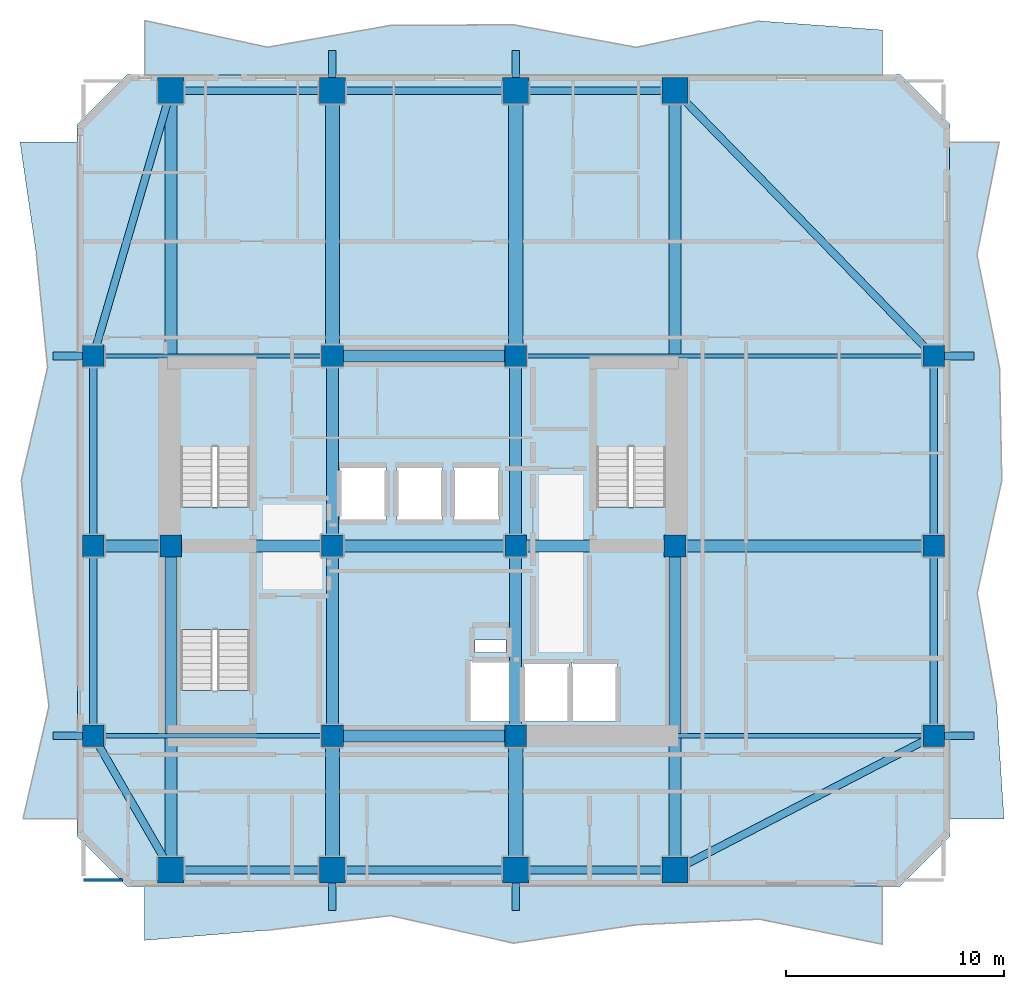
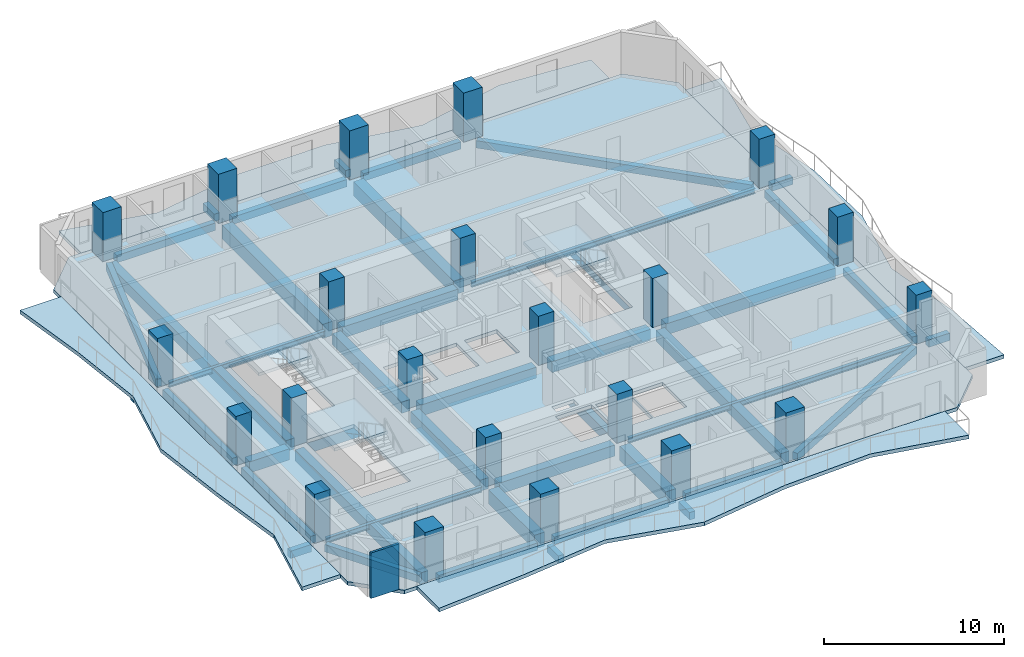
# One storey, part 1 of 9: 45 beams, 22 columns, 8 slabs, 1 wall, 3 elements without a shape of their own.
"""IFC4 building model written with IfcOpenShell, lengths in metres."""

from ifc_helpers import new_model, si_unit, direction, frame, frame_2d, origin, origin_2d, place, context, subcontext, project, spatial, polyline, rectangle, i_section, outline, extrude, material, layer, layer_set, material_profile, profile_set, type_object, element, aggregate, save


model = new_model("IFC4")

# Units and contexts
model_context = context("Model", 3, precision=1e-05, world=origin(), true_north=direction((0.0, 1.0)))
body_context = subcontext(model_context, "Body", "Model", "MODEL_VIEW")
ifc_project = project(units=[si_unit("LENGTHUNIT", "METRE"), si_unit("AREAUNIT", "SQUARE_METRE"), si_unit("VOLUMEUNIT", "CUBIC_METRE"), si_unit("PLANEANGLEUNIT", "RADIAN"), si_unit("MASSUNIT", "GRAM", prefix="KILO")], contexts=[model_context])

# Site, building, storey
site_placement = place(None, origin())
site = spatial("IfcSite", under=ifc_project, at=site_placement, CompositionType="ELEMENT")
building_placement = place(site_placement, origin())
building = spatial("IfcBuilding", under=site, at=building_placement, Name="Solanera Arch Residences", CompositionType="ELEMENT")
storey_placement = place(building_placement, frame((0.0, 0.0, 152.56005859375)))
storey = spatial("IfcBuildingStorey", under=building, at=storey_placement, Name="L44", CompositionType="ELEMENT", Elevation=152.56005859375)

# Columns
ifc_material_1 = material(Name="Concrete C55/67 (f'c = 60 MPa)", Category="concrete")
ifc_material_profile_1 = material_profile(ifc_material_1, rectangle(XDim=1.0, YDim=1.0, at=origin_2d()))
ifc_profile_set_1 = profile_set([ifc_material_profile_1], Name="Concrete C55/67 (f'c = 60 MPa)")
column_type_1 = type_object("IfcColumnType", Name="Structural Column RC-COL-1000X1000", PredefinedType="COLUMN", material=ifc_profile_set_1)
for number, where, z_axis, x_axis, name in (
    (1, (20.800048828125, 22.0, 0.0), (0.0, 0.0, 1.0), (1.0, 0.0, 0.0), "COL-L44-CB-SW"),
    (2, (29.199951171875, 22.0, 0.0), (0.0, 0.0, 1.0), (1.0, 0.0, 0.0), "COL-L44-CB-SE"),
    (3, (20.800048828125, 39.39990234375, 0.0), (0.0, 0.0, 1.0), (1.0, 0.0, 0.0), "COL-L44-CB-NW"),
    (4, (29.199951171875, 39.39990234375, 0.0), (0.0, 0.0, 1.0), (1.0, 0.0, 0.0), "COL-L44-CB-NE"),
    (5, (13.39990234375, 30.699951171875, 0.0), (0.0, 0.0, 1.0), (1.0, 0.0, 0.0), "COL-L44-CB-WW"),
    (6, (36.5, 30.699951171875, 0.0), (0.0, 0.0, 1.0), (1.0, 0.0, 0.0), "COL-L44-CB-EE"),
    (7, (20.800048828125, 30.699951171875, 0.0), (0.0, 0.0, 1.0), (1.0, 0.0, 0.0), "COL-L44-CORE-W"),
    (8, (29.199951171875, 30.699951171875, 0.0), (0.0, 0.0, 1.0), (1.0, 0.0, 0.0), "COL-L44-CORE-E"),
    (9, (9.85009765625, 22.0, 0.0), (0.0, 0.0, 1.0), (1.0, 0.0, 0.0), "COL-L44-TWR-09"),
    (10, (48.35009765625, 22.0, 0.0), (0.0, 0.0, 1.0), (1.0, 0.0, 0.0), "COL-L44-TWR-10"),
    (11, (9.85009765625, 30.699951171875, 0.0), (0.0, 0.0, 1.0), (1.0, 0.0, 0.0), "COL-L44-TWR-11"),
    (12, (48.35009765625, 30.699951171875, 0.0), (0.0, 0.0, 1.0), (1.0, 0.0, 0.0), "COL-L44-TWR-12"),
    (13, (9.85009765625, 39.39990234375, 0.0), (0.0, 0.0, 1.0), (1.0, 0.0, 0.0), "COL-L44-TWR-13"),
    (14, (48.35009765625, 39.39990234375, 0.0), (0.0, 0.0, 1.0), (1.0, 0.0, 0.0), "COL-L44-TWR-14"),
):
    element("IfcColumn", number, at=place(storey_placement, frame(where, z_axis=z_axis, x_axis=x_axis)), inside=storey, type_object=column_type_1, Name=name, PredefinedType="COLUMN", context=body_context, shape_type="SweptSolid", body=[
        extrude(rectangle(XDim=1.0, YDim=1.0, at=origin_2d()), origin(), (0.0, 0.0, 1.0), 3.31982421875),
    ])
ifc_material_2 = material(Name="Concrete C55/67 (f'c = 60 MPa)", Category="concrete")
ifc_material_profile_2 = material_profile(ifc_material_2, rectangle(XDim=1.199951171875, YDim=1.199951171875, at=origin_2d()))
ifc_profile_set_2 = profile_set([ifc_material_profile_2], Name="Concrete C55/67 (f'c = 60 MPa)")
column_type_2 = type_object("IfcColumnType", Name="Structural Column RC-COL-1200X1200", PredefinedType="COLUMN", material=ifc_profile_set_2)
for number, where, z_axis, x_axis, name in (
    (15, (13.39990234375, 15.85009765625, 0.0), (0.0, 0.0, 1.0), (1.0, 0.0, 0.0), "COL-L44-TWR-01"),
    (16, (13.39990234375, 51.550048828125, 0.0), (0.0, 0.0, 1.0), (1.0, 0.0, 0.0), "COL-L44-TWR-02"),
    (17, (20.800048828125, 15.85009765625, 0.0), (0.0, 0.0, 1.0), (1.0, 0.0, 0.0), "COL-L44-TWR-03"),
    (18, (20.800048828125, 51.550048828125, 0.0), (0.0, 0.0, 1.0), (1.0, 0.0, 0.0), "COL-L44-TWR-04"),
    (19, (29.199951171875, 15.85009765625, 0.0), (0.0, 0.0, 1.0), (1.0, 0.0, 0.0), "COL-L44-TWR-05"),
    (20, (29.199951171875, 51.550048828125, 0.0), (0.0, 0.0, 1.0), (1.0, 0.0, 0.0), "COL-L44-TWR-06"),
    (21, (36.5, 15.85009765625, 0.0), (0.0, 0.0, 1.0), (1.0, 0.0, 0.0), "COL-L44-TWR-07"),
    (22, (36.5, 51.550048828125, 0.0), (0.0, 0.0, 1.0), (1.0, 0.0, 0.0), "COL-L44-TWR-08"),
):
    element("IfcColumn", number, at=place(storey_placement, frame(where, z_axis=z_axis, x_axis=x_axis)), inside=storey, type_object=column_type_2, Name=name, PredefinedType="COLUMN", context=body_context, shape_type="SweptSolid", body=[
        extrude(rectangle(XDim=1.199951171875, YDim=1.199951171875, at=origin_2d()), origin(), (0.0, 0.0, 1.0), 3.31982421875),
    ])

# Beams
ifc_material_3 = material(Name="Concrete C40/50 (f'c = 45 MPa)", Category="concrete")
ifc_material_profile_3 = material_profile(ifc_material_3, rectangle(XDim=0.35009765625, YDim=0.5, at=origin_2d()))
ifc_profile_set_3 = profile_set([ifc_material_profile_3], Name="Concrete C40/50 (f'c = 45 MPa)")
beam_type_1 = type_object("IfcBeamType", Name="BM-BALC-RIB", PredefinedType="BEAM", material=ifc_profile_set_3)
for number, where, z_axis, x_axis, name in (
    (23, (20.800048828125, 14.0, -0.5), (0.0, 1.0, 0.0), (-1.0, 0.0, 0.0), "BM-L44-BRIB-S1"),
    (24, (29.199951171875, 14.0, -0.5), (0.0, 1.0, 0.0), (-1.0, 0.0, 0.0), "BM-L44-BRIB-S2"),
    (25, (20.800048828125, 52.14990234375, -0.5), (0.0, 1.0, 0.0), (-1.0, 0.0, 0.0), "BM-L44-BRIB-N1"),
    (26, (29.199951171875, 52.14990234375, -0.5), (0.0, 1.0, 0.0), (-1.0, 0.0, 0.0), "BM-L44-BRIB-N2"),
):
    element("IfcBeam", number, at=place(storey_placement, frame(where, z_axis=z_axis, x_axis=x_axis)), inside=storey, type_object=beam_type_1, Name=name, PredefinedType="BEAM", context=body_context, shape_type="SweptSolid", body=[
        extrude(rectangle(XDim=0.35009765625, YDim=0.5, at=origin_2d()), origin(), (0.0, 0.0, 1.0), 1.25),
    ])
for number, where, z_axis, x_axis, name in (
    (27, (48.85009765625, 22.0, -0.5), (1.0, 0.0, 0.0), (0.0, 1.0, 0.0), "BM-L44-BRIB-E1"),
    (28, (48.85009765625, 39.39990234375, -0.5), (1.0, 0.0, 0.0), (0.0, 1.0, 0.0), "BM-L44-BRIB-E2"),
):
    element("IfcBeam", number, at=place(storey_placement, frame(where, z_axis=z_axis, x_axis=x_axis)), inside=storey, type_object=beam_type_1, Name=name, PredefinedType="BEAM", context=body_context, shape_type="SweptSolid", body=[
        extrude(rectangle(XDim=0.35009765625, YDim=0.5, at=origin_2d()), origin(), (0.0, 0.0, 1.0), 1.349853515625),
    ])
for number, where, z_axis, x_axis, name in (
    (29, (8.0, 22.0, -0.5), (1.0, 0.0, 0.0), (0.0, 1.0, 0.0), "BM-L44-BRIB-W1"),
    (30, (8.0, 39.39990234375, -0.5), (1.0, 0.0, 0.0), (0.0, 1.0, 0.0), "BM-L44-BRIB-W2"),
):
    element("IfcBeam", number, at=place(storey_placement, frame(where, z_axis=z_axis, x_axis=x_axis)), inside=storey, type_object=beam_type_1, Name=name, PredefinedType="BEAM", context=body_context, shape_type="SweptSolid", body=[
        extrude(rectangle(XDim=0.35009765625, YDim=0.5, at=origin_2d()), origin(), (0.0, 0.0, 1.0), 1.35009765625),
    ])
ifc_material_4 = material(Name="Concrete C40/50 (f'c = 45 MPa)", Category="concrete")
ifc_material_profile_4 = material_profile(ifc_material_4, rectangle(XDim=0.550048828125, YDim=0.75, at=origin_2d()))
ifc_profile_set_4 = profile_set([ifc_material_profile_4], Name="Concrete C40/50 (f'c = 45 MPa)")
beam_type_2 = type_object("IfcBeamType", Name="Primary Beam RC-BM-550X750", PredefinedType="BEAM", material=ifc_profile_set_4)
beam_1_placement = place(storey_placement, frame((20.800048828125, 22.50390625, -0.614990234375), z_axis=(0.0, 1.0, 0.0), x_axis=(-1.0, 0.0, 0.0)))
element("IfcBeam", 31, at=beam_1_placement, inside=storey, type_object=beam_type_2, Name="BM-L44-CC-S-208", PredefinedType="BEAM", context=body_context, shape_type="SweptSolid", body=[
    extrude(rectangle(XDim=0.550048828125, YDim=0.75, at=origin_2d()), origin(), (0.0, 0.0, 1.0), 7.692138671875),
])
beam_2_placement = place(storey_placement, frame((20.800048828125, 31.2041015625, -0.614990234375), z_axis=(0.0, 1.0, 0.0), x_axis=(-1.0, 0.0, 0.0)))
element("IfcBeam", 32, at=beam_2_placement, inside=storey, type_object=beam_type_2, Name="BM-L44-CC-N-208", PredefinedType="BEAM", context=body_context, shape_type="SweptSolid", body=[
    extrude(rectangle(XDim=0.550048828125, YDim=0.75, at=origin_2d()), origin(), (0.0, 0.0, 1.0), 7.69189453125),
])
beam_3_placement = place(storey_placement, frame((29.199951171875, 22.50390625, -0.614990234375), z_axis=(0.0, 1.0, 0.0), x_axis=(-1.0, 0.0, 0.0)))
element("IfcBeam", 33, at=beam_3_placement, inside=storey, type_object=beam_type_2, Name="BM-L44-CC-S-292", PredefinedType="BEAM", context=body_context, shape_type="SweptSolid", body=[
    extrude(rectangle(XDim=0.550048828125, YDim=0.75, at=origin_2d()), origin(), (0.0, 0.0, 1.0), 7.692138671875),
])
beam_4_placement = place(storey_placement, frame((29.199951171875, 31.2041015625, -0.614990234375), z_axis=(0.0, 1.0, 0.0), x_axis=(-1.0, 0.0, 0.0)))
element("IfcBeam", 34, at=beam_4_placement, inside=storey, type_object=beam_type_2, Name="BM-L44-CC-N-292", PredefinedType="BEAM", context=body_context, shape_type="SweptSolid", body=[
    extrude(rectangle(XDim=0.550048828125, YDim=0.75, at=origin_2d()), origin(), (0.0, 0.0, 1.0), 7.69189453125),
])
for number, where, z_axis, x_axis, name in (
    (35, (21.303955078125, 22.0, -0.614990234375), (1.0, 0.0, 0.0), (0.0, 1.0, 0.0), "BM-L44-CC-M-220"),
    (36, (21.303955078125, 30.699951171875, -0.614990234375), (1.0, 0.0, 0.0), (0.0, 1.0, 0.0), "BM-L44-CC-M-307"),
    (37, (21.303955078125, 39.39990234375, -0.614990234375), (1.0, 0.0, 0.0), (0.0, 1.0, 0.0), "BM-L44-CC-M-394"),
):
    element("IfcBeam", number, at=place(storey_placement, frame(where, z_axis=z_axis, x_axis=x_axis)), inside=storey, type_object=beam_type_2, Name=name, PredefinedType="BEAM", context=body_context, shape_type="SweptSolid", body=[
        extrude(rectangle(XDim=0.550048828125, YDim=0.75, at=origin_2d()), origin(), (0.0, 0.0, 1.0), 7.39208984375),
    ])
beam_5_placement = place(storey_placement, frame((13.904052734375, 30.699951171875, -0.614990234375), z_axis=(1.0, 0.0, 0.0), x_axis=(0.0, 1.0, 0.0)))
element("IfcBeam", 38, at=beam_5_placement, inside=storey, type_object=beam_type_2, Name="BM-L44-CC-W", PredefinedType="BEAM", context=body_context, shape_type="SweptSolid", body=[
    extrude(rectangle(XDim=0.550048828125, YDim=0.75, at=origin_2d()), origin(), (0.0, 0.0, 1.0), 6.391845703125),
])
beam_6_placement = place(storey_placement, frame((29.7041015625, 30.699951171875, -0.614990234375), z_axis=(1.0, 0.0, 0.0), x_axis=(0.0, 1.0, 0.0)))
element("IfcBeam", 39, at=beam_6_placement, inside=storey, type_object=beam_type_2, Name="BM-L44-CC-E", PredefinedType="BEAM", context=body_context, shape_type="SweptSolid", body=[
    extrude(rectangle(XDim=0.550048828125, YDim=0.75, at=origin_2d()), origin(), (0.0, 0.0, 1.0), 6.2919921875),
])
beam_7_placement = place(storey_placement, frame((13.39990234375, 16.389892578125, -0.614990234375), z_axis=(0.0, 1.0, 0.0), x_axis=(-1.0, 0.0, 0.0)))
element("IfcBeam", 40, at=beam_7_placement, inside=storey, type_object=beam_type_2, Name="BM-L44-RAD-OS-134", PredefinedType="BEAM", context=body_context, shape_type="SweptSolid", body=[
    extrude(rectangle(XDim=0.550048828125, YDim=0.75, at=origin_2d()), origin(), (0.0, 0.0, 1.0), 13.80615234375),
])
beam_8_placement = place(storey_placement, frame((13.39990234375, 31.2041015625, -0.614990234375), z_axis=(0.0, 1.0, 0.0), x_axis=(-1.0, 0.0, 0.0)))
element("IfcBeam", 41, at=beam_8_placement, inside=storey, type_object=beam_type_2, Name="BM-L44-RAD-ON-134", PredefinedType="BEAM", context=body_context, shape_type="SweptSolid", body=[
    extrude(rectangle(XDim=0.550048828125, YDim=0.75, at=origin_2d()), origin(), (0.0, 0.0, 1.0), 19.805908203125),
])
beam_9_placement = place(storey_placement, frame((36.5, 16.389892578125, -0.614990234375), z_axis=(0.0, 1.0, 0.0), x_axis=(-1.0, 0.0, 0.0)))
element("IfcBeam", 42, at=beam_9_placement, inside=storey, type_object=beam_type_2, Name="BM-L44-RAD-OS-365", PredefinedType="BEAM", context=body_context, shape_type="SweptSolid", body=[
    extrude(rectangle(XDim=0.550048828125, YDim=0.75, at=origin_2d()), origin(), (0.0, 0.0, 1.0), 13.80615234375),
])
beam_10_placement = place(storey_placement, frame((36.5, 31.2041015625, -0.614990234375), z_axis=(0.0, 1.0, 0.0), x_axis=(-1.0, 0.0, 0.0)))
element("IfcBeam", 43, at=beam_10_placement, inside=storey, type_object=beam_type_2, Name="BM-L44-RAD-ON-365", PredefinedType="BEAM", context=body_context, shape_type="SweptSolid", body=[
    extrude(rectangle(XDim=0.550048828125, YDim=0.75, at=origin_2d()), origin(), (0.0, 0.0, 1.0), 19.805908203125),
])
beam_11_placement = place(storey_placement, frame((10.35400390625, 30.699951171875, -0.614990234375), z_axis=(1.0, 0.0, 0.0), x_axis=(0.0, 1.0, 0.0)))
element("IfcBeam", 44, at=beam_11_placement, inside=storey, type_object=beam_type_2, Name="BM-L44-RAD-MW", PredefinedType="BEAM", context=body_context, shape_type="SweptSolid", body=[
    extrude(rectangle(XDim=0.550048828125, YDim=0.75, at=origin_2d()), origin(), (0.0, 0.0, 1.0), 2.5419921875),
])
beam_12_placement = place(storey_placement, frame((37.00390625, 30.699951171875, -0.614990234375), z_axis=(1.0, 0.0, 0.0), x_axis=(0.0, 1.0, 0.0)))
element("IfcBeam", 45, at=beam_12_placement, inside=storey, type_object=beam_type_2, Name="BM-L44-RAD-ME", PredefinedType="BEAM", context=body_context, shape_type="SweptSolid", body=[
    extrude(rectangle(XDim=0.550048828125, YDim=0.75, at=origin_2d()), origin(), (0.0, 0.0, 1.0), 10.842041015625),
])
ifc_material_5 = material(Name="Concrete C40/50 (f'c = 45 MPa)", Category="concrete")
ifc_material_profile_5 = material_profile(ifc_material_5, rectangle(XDim=0.64990234375, YDim=0.949951171875, at=origin_2d()))
ifc_profile_set_5 = profile_set([ifc_material_profile_5], Name="Concrete C40/50 (f'c = 45 MPa)")
beam_type_3 = type_object("IfcBeamType", Name="Primary Beam RC-BM-650X950", PredefinedType="BEAM", material=ifc_profile_set_5)
beam_13_placement = place(storey_placement, frame((20.800048828125, 16.389892578125, -0.715087890625), z_axis=(0.0, 1.0, 0.0), x_axis=(-1.0, 0.0, 0.0)))
element("IfcBeam", 46, at=beam_13_placement, inside=storey, type_object=beam_type_3, Name="BM-L44-RAD-S-208", PredefinedType="BEAM", context=body_context, shape_type="SweptSolid", body=[
    extrude(rectangle(XDim=0.64990234375, YDim=0.949951171875, at=origin_2d()), origin(), (0.0, 0.0, 1.0), 5.106201171875),
])
beam_14_placement = place(storey_placement, frame((20.800048828125, 39.904052734375, -0.715087890625), z_axis=(0.0, 1.0, 0.0), x_axis=(-1.0, 0.0, 0.0)))
element("IfcBeam", 47, at=beam_14_placement, inside=storey, type_object=beam_type_3, Name="BM-L44-RAD-N-208", PredefinedType="BEAM", context=body_context, shape_type="SweptSolid", body=[
    extrude(rectangle(XDim=0.64990234375, YDim=0.949951171875, at=origin_2d()), origin(), (0.0, 0.0, 1.0), 11.10595703125),
])
beam_15_placement = place(storey_placement, frame((29.199951171875, 16.389892578125, -0.715087890625), z_axis=(0.0, 1.0, 0.0), x_axis=(-1.0, 0.0, 0.0)))
element("IfcBeam", 48, at=beam_15_placement, inside=storey, type_object=beam_type_3, Name="BM-L44-RAD-S-292", PredefinedType="BEAM", context=body_context, shape_type="SweptSolid", body=[
    extrude(rectangle(XDim=0.64990234375, YDim=0.949951171875, at=origin_2d()), origin(), (0.0, 0.0, 1.0), 5.106201171875),
])
beam_16_placement = place(storey_placement, frame((29.199951171875, 39.904052734375, -0.715087890625), z_axis=(0.0, 1.0, 0.0), x_axis=(-1.0, 0.0, 0.0)))
element("IfcBeam", 49, at=beam_16_placement, inside=storey, type_object=beam_type_3, Name="BM-L44-RAD-N-292", PredefinedType="BEAM", context=body_context, shape_type="SweptSolid", body=[
    extrude(rectangle(XDim=0.64990234375, YDim=0.949951171875, at=origin_2d()), origin(), (0.0, 0.0, 1.0), 11.10595703125),
])
ifc_material_6 = material(Name="Steel S355 (ASTM A992 / A572 Grade 50)", Category="steel")
ifc_material_profile_6 = material_profile(ifc_material_6, i_section(OverallWidth=0.205078125, OverallDepth=0.35400390625, WebThickness=0.009521484375, FlangeThickness=0.016845703125, at=origin_2d()))
ifc_profile_set_6 = profile_set([ifc_material_profile_6], Name="Steel S355 (ASTM A992 / A572 Grade 50)")
beam_type_4 = type_object("IfcBeamType", Name="Secondary Joist W360X79", PredefinedType="JOIST", material=ifc_profile_set_6)
beam_17_placement = place(storey_placement, frame((10.35400390625, 22.0, -0.4169921875), z_axis=(1.0, 0.0, 0.0), x_axis=(0.0, 1.0, 0.0)))
element("IfcBeam", 50, at=beam_17_placement, inside=storey, type_object=beam_type_4, Name="BM-L44-RAD-W-220", PredefinedType="JOIST", context=body_context, shape_type="SweptSolid", body=[
    extrude(i_section(OverallWidth=0.205078125, OverallDepth=0.35400390625, WebThickness=0.009521484375, FlangeThickness=0.016845703125, at=origin_2d()), origin(), (0.0, 0.0, 1.0), 9.94189453125),
])
beam_18_placement = place(storey_placement, frame((29.7041015625, 22.0, -0.4169921875), z_axis=(1.0, 0.0, 0.0), x_axis=(0.0, 1.0, 0.0)))
element("IfcBeam", 51, at=beam_18_placement, inside=storey, type_object=beam_type_4, Name="BM-L44-RAD-E-220", PredefinedType="JOIST", context=body_context, shape_type="SweptSolid", body=[
    extrude(i_section(OverallWidth=0.205078125, OverallDepth=0.35400390625, WebThickness=0.009521484375, FlangeThickness=0.016845703125, at=origin_2d()), origin(), (0.0, 0.0, 1.0), 18.141845703125),
])
beam_19_placement = place(storey_placement, frame((10.35400390625, 39.39990234375, -0.4169921875), z_axis=(1.0, 0.0, 0.0), x_axis=(0.0, 1.0, 0.0)))
element("IfcBeam", 52, at=beam_19_placement, inside=storey, type_object=beam_type_4, Name="BM-L44-RAD-W-394", PredefinedType="JOIST", context=body_context, shape_type="SweptSolid", body=[
    extrude(i_section(OverallWidth=0.205078125, OverallDepth=0.35400390625, WebThickness=0.009521484375, FlangeThickness=0.016845703125, at=origin_2d()), origin(), (0.0, 0.0, 1.0), 9.94189453125),
])
beam_20_placement = place(storey_placement, frame((29.7041015625, 39.39990234375, -0.4169921875), z_axis=(1.0, 0.0, 0.0), x_axis=(0.0, 1.0, 0.0)))
element("IfcBeam", 53, at=beam_20_placement, inside=storey, type_object=beam_type_4, Name="BM-L44-RAD-E-394", PredefinedType="JOIST", context=body_context, shape_type="SweptSolid", body=[
    extrude(i_section(OverallWidth=0.205078125, OverallDepth=0.35400390625, WebThickness=0.009521484375, FlangeThickness=0.016845703125, at=origin_2d()), origin(), (0.0, 0.0, 1.0), 18.141845703125),
])
ifc_material_7 = material(Name="Concrete C40/50 (f'c = 45 MPa)", Category="concrete")
ifc_material_profile_7 = material_profile(ifc_material_7, rectangle(XDim=0.35009765625, YDim=0.5, at=origin_2d()))
ifc_profile_set_7 = profile_set([ifc_material_profile_7], Name="Concrete C40/50 (f'c = 45 MPa)")
beam_type_5 = type_object("IfcBeamType", Name="Spandrel Beam RC-BM-350X500", PredefinedType="SPANDREL", material=ifc_profile_set_7)
for number, where, z_axis, x_axis, name in (
    (54, (13.93994140625, 15.85009765625, -0.489990234375), (1.0, 0.0, 0.0), (0.0, 1.0, 0.0), "BM-L44-SPN-S-1"),
    (55, (13.93994140625, 51.550048828125, -0.489990234375), (1.0, 0.0, 0.0), (0.0, 1.0, 0.0), "BM-L44-SPN-N-1"),
):
    element("IfcBeam", number, at=place(storey_placement, frame(where, z_axis=z_axis, x_axis=x_axis)), inside=storey, type_object=beam_type_5, Name=name, PredefinedType="SPANDREL", context=body_context, shape_type="SweptSolid", body=[
        extrude(rectangle(XDim=0.35009765625, YDim=0.5, at=origin_2d()), origin(), (0.0, 0.0, 1.0), 6.320068359375),
    ])
for number, where, z_axis, x_axis, name in (
    (56, (21.340087890625, 15.85009765625, -0.489990234375), (1.0, 0.0, 0.0), (0.0, 1.0, 0.0), "BM-L44-SPN-S-2"),
    (57, (21.340087890625, 51.550048828125, -0.489990234375), (1.0, 0.0, 0.0), (0.0, 1.0, 0.0), "BM-L44-SPN-N-2"),
):
    element("IfcBeam", number, at=place(storey_placement, frame(where, z_axis=z_axis, x_axis=x_axis)), inside=storey, type_object=beam_type_5, Name=name, PredefinedType="SPANDREL", context=body_context, shape_type="SweptSolid", body=[
        extrude(rectangle(XDim=0.35009765625, YDim=0.5, at=origin_2d()), origin(), (0.0, 0.0, 1.0), 7.31982421875),
    ])
for number, where, z_axis, x_axis, name in (
    (58, (29.739990234375, 15.85009765625, -0.489990234375), (1.0, 0.0, 0.0), (0.0, 1.0, 0.0), "BM-L44-SPN-S-3"),
    (59, (29.739990234375, 51.550048828125, -0.489990234375), (1.0, 0.0, 0.0), (0.0, 1.0, 0.0), "BM-L44-SPN-N-3"),
):
    element("IfcBeam", number, at=place(storey_placement, frame(where, z_axis=z_axis, x_axis=x_axis)), inside=storey, type_object=beam_type_5, Name=name, PredefinedType="SPANDREL", context=body_context, shape_type="SweptSolid", body=[
        extrude(rectangle(XDim=0.35009765625, YDim=0.5, at=origin_2d()), origin(), (0.0, 0.0, 1.0), 6.219970703125),
    ])
for number, where, z_axis, x_axis, name in (
    (60, (9.85009765625, 22.50390625, -0.489990234375), (0.0, 1.0, 0.0), (-1.0, 0.0, 0.0), "BM-L44-SPN-W-1"),
    (61, (48.35009765625, 22.50390625, -0.489990234375), (0.0, 1.0, 0.0), (-1.0, 0.0, 0.0), "BM-L44-SPN-E-1"),
):
    element("IfcBeam", number, at=place(storey_placement, frame(where, z_axis=z_axis, x_axis=x_axis)), inside=storey, type_object=beam_type_5, Name=name, PredefinedType="SPANDREL", context=body_context, shape_type="SweptSolid", body=[
        extrude(rectangle(XDim=0.35009765625, YDim=0.5, at=origin_2d()), origin(), (0.0, 0.0, 1.0), 7.692138671875),
    ])
for number, where, z_axis, x_axis, name in (
    (62, (9.85009765625, 31.2041015625, -0.489990234375), (0.0, 1.0, 0.0), (-1.0, 0.0, 0.0), "BM-L44-SPN-W-2"),
    (63, (48.35009765625, 31.2041015625, -0.489990234375), (0.0, 1.0, 0.0), (-1.0, 0.0, 0.0), "BM-L44-SPN-E-2"),
):
    element("IfcBeam", number, at=place(storey_placement, frame(where, z_axis=z_axis, x_axis=x_axis)), inside=storey, type_object=beam_type_5, Name=name, PredefinedType="SPANDREL", context=body_context, shape_type="SweptSolid", body=[
        extrude(rectangle(XDim=0.35009765625, YDim=0.5, at=origin_2d()), origin(), (0.0, 0.0, 1.0), 7.69189453125),
    ])
beam_21_placement = place(storey_placement, frame((13.1298828125, 16.318115234375, -0.489990234375), z_axis=(-0.499942442997, 0.866058631785, 0.0), x_axis=(-0.866058631785, -0.499942442997, 0.0)))
element("IfcBeam", 64, at=beam_21_placement, inside=storey, type_object=beam_type_5, Name="BM-L44-SPN-SW", PredefinedType="SPANDREL", context=body_context, shape_type="SweptSolid", body=[
    extrude(rectangle(XDim=0.35009765625, YDim=0.5, at=origin_2d()), origin(), (0.0, 0.0, 1.0), 6.020263671875),
])
beam_22_placement = place(storey_placement, frame((13.2490234375, 51.031982421875, -0.489990234375), z_axis=(-0.280501326348, -0.959853637758, 0.0), x_axis=(0.959853637758, -0.280501326348, 0.0)))
element("IfcBeam", 65, at=beam_22_placement, inside=storey, type_object=beam_type_5, Name="BM-L44-SPN-NW", PredefinedType="SPANDREL", context=body_context, shape_type="SweptSolid", body=[
    extrude(rectangle(XDim=0.35009765625, YDim=0.5, at=origin_2d()), origin(), (0.0, 0.0, 1.0), 11.59326171875),
])
beam_23_placement = place(storey_placement, frame((36.97900390625, 16.09912109375, -0.489990234375), z_axis=(0.887617783335, 0.460580797154, 0.0), x_axis=(-0.460580797154, 0.887617783335, 0.0)))
element("IfcBeam", 66, at=beam_23_placement, inside=storey, type_object=beam_type_5, Name="BM-L44-SPN-SE", PredefinedType="SPANDREL", context=body_context, shape_type="SweptSolid", body=[
    extrude(rectangle(XDim=0.35009765625, YDim=0.5, at=origin_2d()), origin(), (0.0, 0.0, 1.0), 12.271240234375),
])
beam_24_placement = place(storey_placement, frame((36.876953125, 51.1630859375, -0.489990234375), z_axis=(0.698241103512, -0.715862669349, 0.0), x_axis=(0.715862669349, 0.698241103512, 0.0)))
element("IfcBeam", 67, at=beam_24_placement, inside=storey, type_object=beam_type_5, Name="BM-L44-SPN-NE", PredefinedType="SPANDREL", context=body_context, shape_type="SweptSolid", body=[
    extrude(rectangle(XDim=0.35009765625, YDim=0.5, at=origin_2d()), origin(), (0.0, 0.0, 1.0), 15.891357421875),
])

# Slabs
ifc_material_8 = material(Name="Concrete C40/50 (f'c = 45 MPa)", Category="concrete")
ifc_layer_1 = layer(ifc_material_8, 0.25)
ifc_layer_set_1 = layer_set([ifc_layer_1], Name="Concrete C40/50 (f'c = 45 MPa)")
slab_type_1 = type_object("IfcSlabType", Name="Balcony Slab 250", PredefinedType="FLOOR", material=ifc_layer_set_1)
slab_1_placement = place(storey_placement, frame((0.0, 0.0, -0.25)))
element("IfcSlab", 68, at=slab_1_placement, inside=storey, type_object=slab_type_1, Name="L44 S Rippling Brise-Soleil Balcony Slab", PredefinedType="FLOOR", context=body_context, shape_type="SweptSolid", body=[
    extrude(outline(polyline([(12.199951171875, 12.632080078125), (17.8330078125, 13.094970703125), (23.467041015625, 13.764892578125), (29.10009765625, 12.5009765625), (34.73291015625, 13.343994140625), (40.366943359375, 13.60009765625), (46.0, 12.449951171875), (46.0, 15.1201171875), (12.199951171875, 15.1201171875), (12.199951171875, 12.632080078125)])), origin(), (0.0, 0.0, 1.0), 0.25),
])
slab_2_placement = place(storey_placement, frame((0.0, 0.0, -0.25)))
element("IfcSlab", 69, at=slab_2_placement, inside=storey, type_object=slab_type_1, Name="L44 N Rippling Brise-Soleil Balcony Slab", PredefinedType="FLOOR", context=body_context, shape_type="SweptSolid", body=[
    extrude(outline(polyline([(46.0, 54.3330078125), (40.366943359375, 54.7490234375), (34.73291015625, 53.5390625), (29.10009765625, 54.571044921875), (23.467041015625, 54.5458984375), (17.8330078125, 53.5439453125), (12.199951171875, 54.76806640625), (12.199951171875, 52.280029296875), (46.0, 52.280029296875), (46.0, 54.3330078125)])), origin(), (0.0, 0.0, 1.0), 0.25),
])
slab_3_placement = place(storey_placement, frame((0.0, 0.0, -0.25)))
element("IfcSlab", 70, at=slab_3_placement, inside=storey, type_object=slab_type_1, Name="L44 E Rippling Brise-Soleil Balcony Slab", PredefinedType="FLOOR", context=body_context, shape_type="SweptSolid", body=[
    extrude(outline(polyline([(51.568115234375, 18.199951171875), (51.23291015625, 23.366943359375), (50.342041015625, 28.532958984375), (51.465087890625, 33.699951171875), (51.362060546875, 38.866943359375), (50.330078125, 44.032958984375), (51.345947265625, 49.199951171875), (49.080078125, 49.199951171875), (49.080078125, 18.199951171875), (51.568115234375, 18.199951171875)])), origin(), (0.0, 0.0, 1.0), 0.25),
])
slab_4_placement = place(storey_placement, frame((0.0, 0.0, -0.25)))
element("IfcSlab", 71, at=slab_4_placement, inside=storey, type_object=slab_type_1, Name="L44 W Rippling Brise-Soleil Balcony Slab", PredefinedType="FLOOR", context=body_context, shape_type="SweptSolid", body=[
    extrude(outline(polyline([(6.490966796875, 49.199951171875), (7.242919921875, 44.032958984375), (7.7548828125, 38.866943359375), (6.550048828125, 33.699951171875), (7.10400390625, 28.532958984375), (7.819091796875, 23.366943359375), (6.632080078125, 18.199951171875), (9.1201171875, 18.199951171875), (9.1201171875, 49.199951171875), (6.490966796875, 49.199951171875)])), origin(), (0.0, 0.0, 1.0), 0.25),
])

# Stair, slab
ifc_material_9 = material(Name="Concrete C40/50 (f'c = 45 MPa)", Category="concrete")
stair_type = type_object("IfcStairType", Name="Tower Dogleg Exit Stair 1480", PredefinedType="HALF_TURN_STAIR", material=ifc_material_9)
stair_1_placement = place(storey_placement, origin())
stair_1 = element("IfcStair", 72, at=stair_1_placement, inside=storey, type_object=stair_type, Name="L44 Tower Core Exit Stair 1", PredefinedType="HALF_TURN_STAIR")
ifc_material_10 = material(Name="Concrete C40/50 (f'c = 45 MPa)", Category="concrete")
ifc_layer_2 = layer(ifc_material_10, 0.199951171875)
ifc_layer_set_2 = layer_set([ifc_layer_2], Name="Concrete C40/50 (f'c = 45 MPa)")
slab_type_2 = type_object("IfcSlabType", Name="Stair Half-Landing Slab 200", PredefinedType="LANDING", material=ifc_layer_set_2)
slab_5_placement = place(storey_placement, frame((0.0, 0.0, 1.4599609375)))
slab_5 = element("IfcSlab", 73, at=slab_5_placement, type_object=slab_type_2, Name="ST-T1 landing 1", PredefinedType="LANDING", context=body_context, shape_type="SweptSolid", body=[
    extrude(outline(polyline([(17.1201171875, 35.260009765625), (17.1201171875, 38.919921875), (13.719970703125, 38.919921875), (13.719970703125, 35.260009765625), (17.1201171875, 35.260009765625)])), origin(), (0.0, 0.0, 1.0), 0.199951171875),
])
aggregate(stair_1, [slab_5])

stair_2_placement = place(storey_placement, origin())
stair_2 = element("IfcStair", 74, at=stair_2_placement, inside=storey, type_object=stair_type, Name="L44 Tower Core Exit Stair 2", PredefinedType="HALF_TURN_STAIR")
slab_6_placement = place(storey_placement, frame((0.0, 0.0, 1.4599609375)))
slab_6 = element("IfcSlab", 75, at=slab_6_placement, type_object=slab_type_2, Name="ST-T2 landing 1", PredefinedType="LANDING", context=body_context, shape_type="SweptSolid", body=[
    extrude(outline(polyline([(36.179931640625, 35.260009765625), (36.179931640625, 38.919921875), (32.780029296875, 38.919921875), (32.780029296875, 35.260009765625), (36.179931640625, 35.260009765625)])), origin(), (0.0, 0.0, 1.0), 0.199951171875),
])
aggregate(stair_2, [slab_6])

stair_3_placement = place(storey_placement, origin())
stair_3 = element("IfcStair", 76, at=stair_3_placement, inside=storey, type_object=stair_type, Name="L44 Tower Core Exit Stair 3", PredefinedType="HALF_TURN_STAIR")
slab_7_placement = place(storey_placement, frame((0.0, 0.0, 1.4599609375)))
slab_7 = element("IfcSlab", 77, at=slab_7_placement, type_object=slab_type_2, Name="ST-T3 landing 1", PredefinedType="LANDING", context=body_context, shape_type="SweptSolid", body=[
    extrude(outline(polyline([(17.1201171875, 26.860107421875), (17.1201171875, 30.52001953125), (13.719970703125, 30.52001953125), (13.719970703125, 26.860107421875), (17.1201171875, 26.860107421875)])), origin(), (0.0, 0.0, 1.0), 0.199951171875),
])
aggregate(stair_3, [slab_7])

# Slab
ifc_material_11 = material(Name="Concrete C40/50 (f'c = 45 MPa)", Category="concrete")
ifc_layer_3 = layer(ifc_material_11, 0.239990234375)
ifc_layer_set_3 = layer_set([ifc_layer_3], Name="Concrete C40/50 (f'c = 45 MPa)")
slab_type_3 = type_object("IfcSlabType", Name="Suspended Floor Slab Post-Tensioned 240", PredefinedType="FLOOR", material=ifc_layer_set_3)
slab_8_placement = place(storey_placement, frame((0.0, 0.0, -0.239990234375)))
element("IfcSlab", 78, at=slab_8_placement, inside=storey, type_object=slab_type_3, Name="L44 Tower Post-Tensioned Floor Slab", PredefinedType="FLOOR", context=body_context, shape_type="SweptSolid", body=[
    extrude(outline(polyline([(11.39990234375, 15.10009765625), (46.800048828125, 15.10009765625), (49.10009765625, 17.39990234375), (49.10009765625, 50.0), (46.800048828125, 52.300048828125), (11.39990234375, 52.300048828125), (9.10009765625, 50.0), (9.10009765625, 17.39990234375), (11.39990234375, 15.10009765625)]), holes=[polyline([(13.840087890625, 32.48291015625), (13.840087890625, 38.800048828125), (17.0, 38.800048828125), (17.0, 32.48291015625), (13.840087890625, 32.48291015625)]), polyline([(32.89990234375, 32.48291015625), (32.89990234375, 38.800048828125), (36.06005859375, 38.800048828125), (36.06005859375, 32.48291015625), (32.89990234375, 32.48291015625)]), polyline([(13.840087890625, 24.0830078125), (13.840087890625, 30.39990234375), (17.0, 30.39990234375), (17.0, 24.0830078125), (13.840087890625, 24.0830078125)]), polyline([(21.14990234375, 34.35009765625), (23.25, 34.35009765625), (23.25, 31.85009765625), (21.14990234375, 31.85009765625), (21.14990234375, 34.35009765625)]), polyline([(23.75, 34.35009765625), (25.85009765625, 34.35009765625), (25.85009765625, 31.85009765625), (23.75, 31.85009765625), (23.75, 34.35009765625)]), polyline([(26.35009765625, 34.35009765625), (28.449951171875, 34.35009765625), (28.449951171875, 31.85009765625), (26.35009765625, 31.85009765625), (26.35009765625, 34.35009765625)]), polyline([(29.550048828125, 25.35009765625), (31.64990234375, 25.35009765625), (31.64990234375, 22.64990234375), (29.550048828125, 22.64990234375), (29.550048828125, 25.35009765625)]), polyline([(31.75, 25.35009765625), (33.85009765625, 25.35009765625), (33.85009765625, 22.64990234375), (31.75, 22.64990234375), (31.75, 25.35009765625)]), polyline([(27.050048828125, 25.449951171875), (29.35009765625, 25.449951171875), (29.35009765625, 22.64990234375), (27.050048828125, 22.64990234375), (27.050048828125, 25.449951171875)]), polyline([(27.340087890625, 26.3798828125), (28.760009765625, 26.3798828125), (28.760009765625, 25.820068359375), (27.340087890625, 25.820068359375), (27.340087890625, 26.3798828125)])]), origin(), (0.0, 0.0, 1.0), 0.239990234375),
])

# Wall
ifc_material_12 = material(Name="Autoclaved Aerated Concrete Blockwork", Category="masonry")
ifc_layer_4 = layer(ifc_material_12, 0.139892578125)
ifc_layer_set_4 = layer_set([ifc_layer_4], Name="Autoclaved Aerated Concrete Blockwork")
wall_type = type_object("IfcWallType", Name="Wet-Room Partition 140", PredefinedType="PARTITIONING", material=ifc_layer_set_4)
wall_placement = place(storey_placement, frame((9.39990234375, 15.39990234375, 0.0), z_axis=(0.0, 0.0, 1.0), x_axis=(1.0, 0.0, 0.0)))
element("IfcWall", 79, at=wall_placement, inside=storey, type_object=wall_type, Name="L44 Interior Partition H13 1", PredefinedType="PARTITIONING", context=body_context, shape_type="SweptSolid", body=[
    extrude(rectangle(XDim=1.795166015625, YDim=0.139892578125, at=frame_2d((0.8974609375, 0.0))), origin(), (0.0, 0.0, 1.0), 3.079833984375),
])

save(model, "model.ifc")
